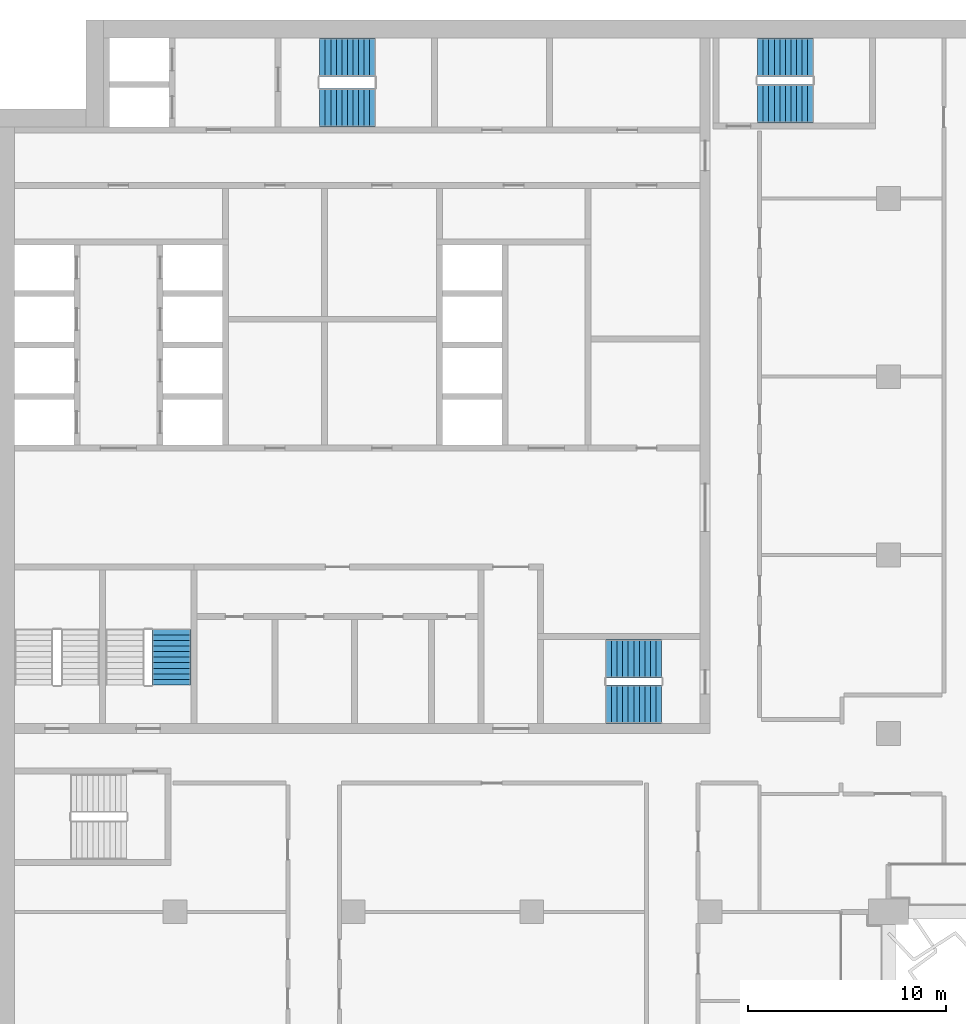
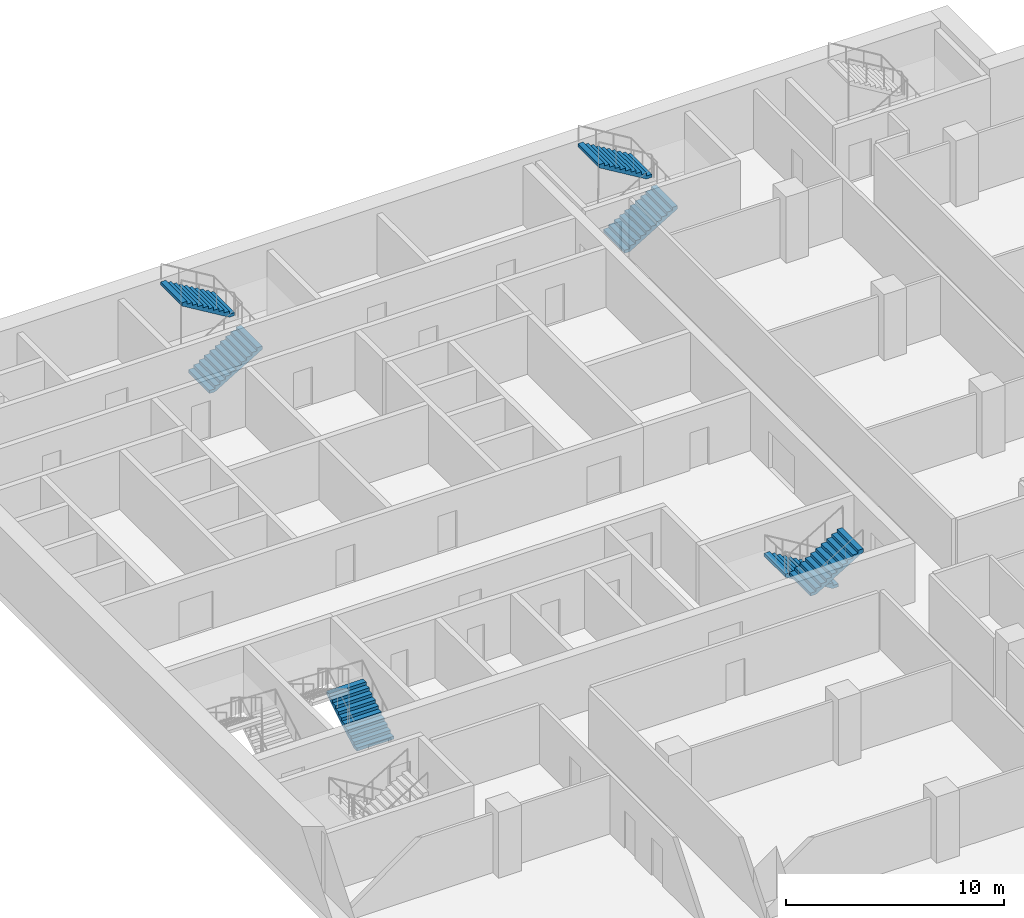
# One storey, part 16 of 22: 7 stair flights, 4 elements without a shape of their own.
"""IFC4 building model written with IfcOpenShell, lengths in metres."""

from ifc_helpers import new_model, si_unit, direction, frame, origin, place, context, subcontext, project, spatial, polyline, outline, extrude, material, type_object, element, aggregate, save


model = new_model("IFC4")

# Units and contexts
model_context = context("Model", 3, precision=1e-05, world=origin(), true_north=direction((0.0, 1.0)))
body_context = subcontext(model_context, "Body", "Model", "MODEL_VIEW")
ifc_project = project(units=[si_unit("LENGTHUNIT", "METRE"), si_unit("AREAUNIT", "SQUARE_METRE"), si_unit("VOLUMEUNIT", "CUBIC_METRE"), si_unit("PLANEANGLEUNIT", "RADIAN"), si_unit("MASSUNIT", "GRAM", prefix="KILO")], contexts=[model_context])

# Site, building, storey
site_placement = place(None, origin())
site = spatial("IfcSite", under=ifc_project, at=site_placement, CompositionType="ELEMENT")
building_placement = place(site_placement, origin())
building = spatial("IfcBuilding", under=site, at=building_placement, Name="Hunhe Ridgeline Campus", CompositionType="ELEMENT")
storey_placement = place(building_placement, frame((0.0, 0.0, 141.199951171875)))
storey = spatial("IfcBuildingStorey", under=building, at=storey_placement, Name="L35", CompositionType="ELEMENT", Elevation=141.199951171875)

# Stair, stair flights
ifc_material = material(Name="Concrete C40", Category="concrete")
stair_type = type_object("IfcStairType", Name="Reinforced concrete dog-leg stair 1950 Concrete C40", PredefinedType="HALF_TURN_STAIR", material=ifc_material)
stair_1_placement = place(storey_placement, origin())
stair_1 = element("IfcStair", 1, at=stair_1_placement, inside=storey, type_object=stair_type, Name="L35 S1", PredefinedType="HALF_TURN_STAIR")
stair_flight_type = type_object("IfcStairFlightType", Name="Reinforced concrete stair flight 1950 Concrete C40", PredefinedType="STRAIGHT", material=ifc_material)
stair_flight_1_placement = place(storey_placement, frame((16.300048828125, 94.574951171875, 0.0), z_axis=(0.0, 0.0, 1.0), x_axis=(1.0, 0.0, 0.0)))
stair_flight_1 = element("IfcStairFlight", 2, at=stair_flight_1_placement, type_object=stair_flight_type, Name="ST1 flight 1", NumberOfRisers=11, NumberOfTreads=10, PredefinedType="STRAIGHT", RiserHeight=0.168181818, TreadLength=0.28, context=body_context, shape_type="SweptSolid", body=[
    extrude(outline(polyline([(0.0, 0.0), (0.0, 0.168212890625), (0.280029296875, 0.168212890625), (0.280029296875, 0.33642578125), (0.56005859375, 0.33642578125), (0.56005859375, 0.504638671875), (0.840087890625, 0.504638671875), (0.840087890625, 0.672607421875), (1.1201171875, 0.672607421875), (1.1201171875, 0.8408203125), (1.39990234375, 0.8408203125), (1.39990234375, 1.009033203125), (1.679931640625, 1.009033203125), (1.679931640625, 1.17724609375), (1.9599609375, 1.17724609375), (1.9599609375, 1.345458984375), (2.239990234375, 1.345458984375), (2.239990234375, 1.513671875), (2.52001953125, 1.513671875), (2.52001953125, 1.681884765625), (2.800048828125, 1.681884765625), (2.800048828125, 1.85009765625), (2.800048828125, 1.5068359375), (0.291015625, 0.0), (0.0, 0.0)])), frame((0.0, 0.97509765625, 0.0), z_axis=(0.0, -1.0, 0.0), x_axis=(1.0, 0.0, 0.0)), (0.0, 0.0, 1.0), 1.949951171875),
    extrude(outline(polyline([(0.030029296875, 0.030029296875), (0.030029296875, 0.13818359375), (0.31005859375, 0.13818359375), (0.31005859375, 0.306396484375), (0.590087890625, 0.306396484375), (0.590087890625, 0.474609375), (0.8701171875, 0.474609375), (0.8701171875, 0.642578125), (1.14990234375, 0.642578125), (1.14990234375, 0.810791015625), (1.429931640625, 0.810791015625), (1.429931640625, 0.97900390625), (1.7099609375, 0.97900390625), (1.7099609375, 1.147216796875), (1.989990234375, 1.147216796875), (1.989990234375, 1.3154296875), (2.27001953125, 1.3154296875), (2.27001953125, 1.483642578125), (2.550048828125, 1.483642578125), (2.550048828125, 1.65185546875), (2.77001953125, 1.65185546875), (2.77001953125, 1.52392578125), (0.28271484375, 0.030029296875), (0.030029296875, 0.030029296875)])), frame((0.0, -0.070068359375, 0.0), z_axis=(0.0, -1.0, 0.0), x_axis=(1.0, 0.0, 0.0)), (0.0, 0.0, 1.0), 0.019775390625),
    extrude(outline(polyline([(0.030029296875, 0.030029296875), (0.030029296875, 0.13818359375), (0.31005859375, 0.13818359375), (0.31005859375, 0.306396484375), (0.590087890625, 0.306396484375), (0.590087890625, 0.474609375), (0.8701171875, 0.474609375), (0.8701171875, 0.642578125), (1.14990234375, 0.642578125), (1.14990234375, 0.810791015625), (1.429931640625, 0.810791015625), (1.429931640625, 0.97900390625), (1.7099609375, 0.97900390625), (1.7099609375, 1.147216796875), (1.989990234375, 1.147216796875), (1.989990234375, 1.3154296875), (2.27001953125, 1.3154296875), (2.27001953125, 1.483642578125), (2.550048828125, 1.483642578125), (2.550048828125, 1.65185546875), (2.77001953125, 1.65185546875), (2.77001953125, 1.52392578125), (0.28271484375, 0.030029296875), (0.030029296875, 0.030029296875)])), frame((0.0, 0.010009765625, 0.0), z_axis=(0.0, -1.0, 0.0), x_axis=(1.0, 0.0, 0.0)), (0.0, 0.0, 1.0), 0.019775390625),
    extrude(outline(polyline([(0.030029296875, 0.030029296875), (0.030029296875, 0.13818359375), (0.31005859375, 0.13818359375), (0.31005859375, 0.306396484375), (0.590087890625, 0.306396484375), (0.590087890625, 0.474609375), (0.8701171875, 0.474609375), (0.8701171875, 0.642578125), (1.14990234375, 0.642578125), (1.14990234375, 0.810791015625), (1.429931640625, 0.810791015625), (1.429931640625, 0.97900390625), (1.7099609375, 0.97900390625), (1.7099609375, 1.147216796875), (1.989990234375, 1.147216796875), (1.989990234375, 1.3154296875), (2.27001953125, 1.3154296875), (2.27001953125, 1.483642578125), (2.550048828125, 1.483642578125), (2.550048828125, 1.65185546875), (2.77001953125, 1.65185546875), (2.77001953125, 1.52392578125), (0.28271484375, 0.030029296875), (0.030029296875, 0.030029296875)])), frame((0.0, 0.090087890625, 0.0), z_axis=(0.0, -1.0, 0.0), x_axis=(1.0, 0.0, 0.0)), (0.0, 0.0, 1.0), 0.019775390625),
])
stair_flight_2_placement = place(storey_placement, frame((19.10009765625, 97.125, 1.85009765625), z_axis=(0.0, 0.0, 1.0), x_axis=(-1.0, 0.0, 0.0)))
stair_flight_2 = element("IfcStairFlight", 3, at=stair_flight_2_placement, type_object=stair_flight_type, Name="ST1 flight 2", NumberOfRisers=11, NumberOfTreads=10, PredefinedType="STRAIGHT", RiserHeight=0.168181818, TreadLength=0.28, context=body_context, shape_type="SweptSolid", body=[
    extrude(outline(polyline([(0.0, 0.0), (0.0, 0.168212890625), (0.280029296875, 0.168212890625), (0.280029296875, 0.33642578125), (0.56005859375, 0.33642578125), (0.56005859375, 0.504638671875), (0.840087890625, 0.504638671875), (0.840087890625, 0.672607421875), (1.1201171875, 0.672607421875), (1.1201171875, 0.8408203125), (1.39990234375, 0.8408203125), (1.39990234375, 1.009033203125), (1.679931640625, 1.009033203125), (1.679931640625, 1.17724609375), (1.9599609375, 1.17724609375), (1.9599609375, 1.345458984375), (2.239990234375, 1.345458984375), (2.239990234375, 1.513671875), (2.52001953125, 1.513671875), (2.52001953125, 1.681884765625), (2.800048828125, 1.681884765625), (2.800048828125, 1.85009765625), (2.800048828125, 1.5068359375), (0.291015625, 0.0), (0.0, 0.0)])), frame((0.0, 0.97509765625, 0.0), z_axis=(0.0, -1.0, 0.0), x_axis=(1.0, 0.0, 0.0)), (0.0, 0.0, 1.0), 1.949951171875),
    extrude(outline(polyline([(0.030029296875, 0.030029296875), (0.030029296875, 0.13818359375), (0.31005859375, 0.13818359375), (0.31005859375, 0.306396484375), (0.590087890625, 0.306396484375), (0.590087890625, 0.474609375), (0.8701171875, 0.474609375), (0.8701171875, 0.642578125), (1.14990234375, 0.642578125), (1.14990234375, 0.810791015625), (1.429931640625, 0.810791015625), (1.429931640625, 0.97900390625), (1.7099609375, 0.97900390625), (1.7099609375, 1.147216796875), (1.989990234375, 1.147216796875), (1.989990234375, 1.3154296875), (2.27001953125, 1.3154296875), (2.27001953125, 1.483642578125), (2.550048828125, 1.483642578125), (2.550048828125, 1.65185546875), (2.77001953125, 1.65185546875), (2.77001953125, 1.52392578125), (0.28271484375, 0.030029296875), (0.030029296875, 0.030029296875)])), frame((0.0, -0.070068359375, 0.0), z_axis=(0.0, -1.0, 0.0), x_axis=(1.0, 0.0, 0.0)), (0.0, 0.0, 1.0), 0.019775390625),
    extrude(outline(polyline([(0.030029296875, 0.030029296875), (0.030029296875, 0.13818359375), (0.31005859375, 0.13818359375), (0.31005859375, 0.306396484375), (0.590087890625, 0.306396484375), (0.590087890625, 0.474609375), (0.8701171875, 0.474609375), (0.8701171875, 0.642578125), (1.14990234375, 0.642578125), (1.14990234375, 0.810791015625), (1.429931640625, 0.810791015625), (1.429931640625, 0.97900390625), (1.7099609375, 0.97900390625), (1.7099609375, 1.147216796875), (1.989990234375, 1.147216796875), (1.989990234375, 1.3154296875), (2.27001953125, 1.3154296875), (2.27001953125, 1.483642578125), (2.550048828125, 1.483642578125), (2.550048828125, 1.65185546875), (2.77001953125, 1.65185546875), (2.77001953125, 1.52392578125), (0.28271484375, 0.030029296875), (0.030029296875, 0.030029296875)])), frame((0.0, 0.010009765625, 0.0), z_axis=(0.0, -1.0, 0.0), x_axis=(1.0, 0.0, 0.0)), (0.0, 0.0, 1.0), 0.019775390625),
    extrude(outline(polyline([(0.030029296875, 0.030029296875), (0.030029296875, 0.13818359375), (0.31005859375, 0.13818359375), (0.31005859375, 0.306396484375), (0.590087890625, 0.306396484375), (0.590087890625, 0.474609375), (0.8701171875, 0.474609375), (0.8701171875, 0.642578125), (1.14990234375, 0.642578125), (1.14990234375, 0.810791015625), (1.429931640625, 0.810791015625), (1.429931640625, 0.97900390625), (1.7099609375, 0.97900390625), (1.7099609375, 1.147216796875), (1.989990234375, 1.147216796875), (1.989990234375, 1.3154296875), (2.27001953125, 1.3154296875), (2.27001953125, 1.483642578125), (2.550048828125, 1.483642578125), (2.550048828125, 1.65185546875), (2.77001953125, 1.65185546875), (2.77001953125, 1.52392578125), (0.28271484375, 0.030029296875), (0.030029296875, 0.030029296875)])), frame((0.0, 0.090087890625, 0.0), z_axis=(0.0, -1.0, 0.0), x_axis=(1.0, 0.0, 0.0)), (0.0, 0.0, 1.0), 0.019775390625),
])
aggregate(stair_1, [stair_flight_1, stair_flight_2])

stair_2_placement = place(storey_placement, origin())
stair_2 = element("IfcStair", 4, at=stair_2_placement, inside=storey, type_object=stair_type, Name="L35 S2", PredefinedType="HALF_TURN_STAIR")
stair_flight_3_placement = place(storey_placement, frame((33.550048828125, 66.77490234375, 0.0), z_axis=(0.0, 0.0, 1.0), x_axis=(-1.0, 0.0, 0.0)))
stair_flight_3 = element("IfcStairFlight", 5, at=stair_flight_3_placement, type_object=stair_flight_type, Name="ST2 flight 1", NumberOfRisers=11, NumberOfTreads=10, PredefinedType="STRAIGHT", RiserHeight=0.168181818, TreadLength=0.28, context=body_context, shape_type="SweptSolid", body=[
    extrude(outline(polyline([(0.0, 0.0), (0.0, 0.168212890625), (0.280029296875, 0.168212890625), (0.280029296875, 0.33642578125), (0.56005859375, 0.33642578125), (0.56005859375, 0.504638671875), (0.840087890625, 0.504638671875), (0.840087890625, 0.672607421875), (1.1201171875, 0.672607421875), (1.1201171875, 0.8408203125), (1.39990234375, 0.8408203125), (1.39990234375, 1.009033203125), (1.679931640625, 1.009033203125), (1.679931640625, 1.17724609375), (1.9599609375, 1.17724609375), (1.9599609375, 1.345458984375), (2.239990234375, 1.345458984375), (2.239990234375, 1.513671875), (2.52001953125, 1.513671875), (2.52001953125, 1.681884765625), (2.800048828125, 1.681884765625), (2.800048828125, 1.85009765625), (2.800048828125, 1.5068359375), (0.291015625, 0.0), (0.0, 0.0)])), frame((0.0, 0.97509765625, 0.0), z_axis=(0.0, -1.0, 0.0), x_axis=(1.0, 0.0, 0.0)), (0.0, 0.0, 1.0), 1.949951171875),
    extrude(outline(polyline([(0.030029296875, 0.030029296875), (0.030029296875, 0.13818359375), (0.31005859375, 0.13818359375), (0.31005859375, 0.306396484375), (0.590087890625, 0.306396484375), (0.590087890625, 0.474609375), (0.8701171875, 0.474609375), (0.8701171875, 0.642578125), (1.14990234375, 0.642578125), (1.14990234375, 0.810791015625), (1.429931640625, 0.810791015625), (1.429931640625, 0.97900390625), (1.7099609375, 0.97900390625), (1.7099609375, 1.147216796875), (1.989990234375, 1.147216796875), (1.989990234375, 1.3154296875), (2.27001953125, 1.3154296875), (2.27001953125, 1.483642578125), (2.550048828125, 1.483642578125), (2.550048828125, 1.65185546875), (2.77001953125, 1.65185546875), (2.77001953125, 1.52392578125), (0.28271484375, 0.030029296875), (0.030029296875, 0.030029296875)])), frame((0.0, -0.070068359375, 0.0), z_axis=(0.0, -1.0, 0.0), x_axis=(1.0, 0.0, 0.0)), (0.0, 0.0, 1.0), 0.019775390625),
    extrude(outline(polyline([(0.030029296875, 0.030029296875), (0.030029296875, 0.13818359375), (0.31005859375, 0.13818359375), (0.31005859375, 0.306396484375), (0.590087890625, 0.306396484375), (0.590087890625, 0.474609375), (0.8701171875, 0.474609375), (0.8701171875, 0.642578125), (1.14990234375, 0.642578125), (1.14990234375, 0.810791015625), (1.429931640625, 0.810791015625), (1.429931640625, 0.97900390625), (1.7099609375, 0.97900390625), (1.7099609375, 1.147216796875), (1.989990234375, 1.147216796875), (1.989990234375, 1.3154296875), (2.27001953125, 1.3154296875), (2.27001953125, 1.483642578125), (2.550048828125, 1.483642578125), (2.550048828125, 1.65185546875), (2.77001953125, 1.65185546875), (2.77001953125, 1.52392578125), (0.28271484375, 0.030029296875), (0.030029296875, 0.030029296875)])), frame((0.0, 0.010009765625, 0.0), z_axis=(0.0, -1.0, 0.0), x_axis=(1.0, 0.0, 0.0)), (0.0, 0.0, 1.0), 0.019775390625),
    extrude(outline(polyline([(0.030029296875, 0.030029296875), (0.030029296875, 0.13818359375), (0.31005859375, 0.13818359375), (0.31005859375, 0.306396484375), (0.590087890625, 0.306396484375), (0.590087890625, 0.474609375), (0.8701171875, 0.474609375), (0.8701171875, 0.642578125), (1.14990234375, 0.642578125), (1.14990234375, 0.810791015625), (1.429931640625, 0.810791015625), (1.429931640625, 0.97900390625), (1.7099609375, 0.97900390625), (1.7099609375, 1.147216796875), (1.989990234375, 1.147216796875), (1.989990234375, 1.3154296875), (2.27001953125, 1.3154296875), (2.27001953125, 1.483642578125), (2.550048828125, 1.483642578125), (2.550048828125, 1.65185546875), (2.77001953125, 1.65185546875), (2.77001953125, 1.52392578125), (0.28271484375, 0.030029296875), (0.030029296875, 0.030029296875)])), frame((0.0, 0.090087890625, 0.0), z_axis=(0.0, -1.0, 0.0), x_axis=(1.0, 0.0, 0.0)), (0.0, 0.0, 1.0), 0.019775390625),
])
stair_flight_4_placement = place(storey_placement, frame((30.75, 64.47509765625, 1.85009765625), z_axis=(0.0, 0.0, 1.0), x_axis=(1.0, 0.0, 0.0)))
stair_flight_4 = element("IfcStairFlight", 6, at=stair_flight_4_placement, type_object=stair_flight_type, Name="ST2 flight 2", NumberOfRisers=11, NumberOfTreads=10, PredefinedType="STRAIGHT", RiserHeight=0.168181818, TreadLength=0.28, context=body_context, shape_type="SweptSolid", body=[
    extrude(outline(polyline([(0.0, 0.0), (0.0, 0.168212890625), (0.280029296875, 0.168212890625), (0.280029296875, 0.33642578125), (0.56005859375, 0.33642578125), (0.56005859375, 0.504638671875), (0.840087890625, 0.504638671875), (0.840087890625, 0.672607421875), (1.1201171875, 0.672607421875), (1.1201171875, 0.8408203125), (1.39990234375, 0.8408203125), (1.39990234375, 1.009033203125), (1.679931640625, 1.009033203125), (1.679931640625, 1.17724609375), (1.9599609375, 1.17724609375), (1.9599609375, 1.345458984375), (2.239990234375, 1.345458984375), (2.239990234375, 1.513671875), (2.52001953125, 1.513671875), (2.52001953125, 1.681884765625), (2.800048828125, 1.681884765625), (2.800048828125, 1.85009765625), (2.800048828125, 1.5068359375), (0.291015625, 0.0), (0.0, 0.0)])), frame((0.0, 0.97509765625, 0.0), z_axis=(0.0, -1.0, 0.0), x_axis=(1.0, 0.0, 0.0)), (0.0, 0.0, 1.0), 1.949951171875),
    extrude(outline(polyline([(0.030029296875, 0.030029296875), (0.030029296875, 0.13818359375), (0.31005859375, 0.13818359375), (0.31005859375, 0.306396484375), (0.590087890625, 0.306396484375), (0.590087890625, 0.474609375), (0.8701171875, 0.474609375), (0.8701171875, 0.642578125), (1.14990234375, 0.642578125), (1.14990234375, 0.810791015625), (1.429931640625, 0.810791015625), (1.429931640625, 0.97900390625), (1.7099609375, 0.97900390625), (1.7099609375, 1.147216796875), (1.989990234375, 1.147216796875), (1.989990234375, 1.3154296875), (2.27001953125, 1.3154296875), (2.27001953125, 1.483642578125), (2.550048828125, 1.483642578125), (2.550048828125, 1.65185546875), (2.77001953125, 1.65185546875), (2.77001953125, 1.52392578125), (0.28271484375, 0.030029296875), (0.030029296875, 0.030029296875)])), frame((0.0, -0.070068359375, 0.0), z_axis=(0.0, -1.0, 0.0), x_axis=(1.0, 0.0, 0.0)), (0.0, 0.0, 1.0), 0.019775390625),
    extrude(outline(polyline([(0.030029296875, 0.030029296875), (0.030029296875, 0.13818359375), (0.31005859375, 0.13818359375), (0.31005859375, 0.306396484375), (0.590087890625, 0.306396484375), (0.590087890625, 0.474609375), (0.8701171875, 0.474609375), (0.8701171875, 0.642578125), (1.14990234375, 0.642578125), (1.14990234375, 0.810791015625), (1.429931640625, 0.810791015625), (1.429931640625, 0.97900390625), (1.7099609375, 0.97900390625), (1.7099609375, 1.147216796875), (1.989990234375, 1.147216796875), (1.989990234375, 1.3154296875), (2.27001953125, 1.3154296875), (2.27001953125, 1.483642578125), (2.550048828125, 1.483642578125), (2.550048828125, 1.65185546875), (2.77001953125, 1.65185546875), (2.77001953125, 1.52392578125), (0.28271484375, 0.030029296875), (0.030029296875, 0.030029296875)])), frame((0.0, 0.010009765625, 0.0), z_axis=(0.0, -1.0, 0.0), x_axis=(1.0, 0.0, 0.0)), (0.0, 0.0, 1.0), 0.019775390625),
    extrude(outline(polyline([(0.030029296875, 0.030029296875), (0.030029296875, 0.13818359375), (0.31005859375, 0.13818359375), (0.31005859375, 0.306396484375), (0.590087890625, 0.306396484375), (0.590087890625, 0.474609375), (0.8701171875, 0.474609375), (0.8701171875, 0.642578125), (1.14990234375, 0.642578125), (1.14990234375, 0.810791015625), (1.429931640625, 0.810791015625), (1.429931640625, 0.97900390625), (1.7099609375, 0.97900390625), (1.7099609375, 1.147216796875), (1.989990234375, 1.147216796875), (1.989990234375, 1.3154296875), (2.27001953125, 1.3154296875), (2.27001953125, 1.483642578125), (2.550048828125, 1.483642578125), (2.550048828125, 1.65185546875), (2.77001953125, 1.65185546875), (2.77001953125, 1.52392578125), (0.28271484375, 0.030029296875), (0.030029296875, 0.030029296875)])), frame((0.0, 0.090087890625, 0.0), z_axis=(0.0, -1.0, 0.0), x_axis=(1.0, 0.0, 0.0)), (0.0, 0.0, 1.0), 0.019775390625),
])
aggregate(stair_2, [stair_flight_3, stair_flight_4])

# Stair, stair flight
stair_3_placement = place(storey_placement, origin())
stair_3 = element("IfcStair", 7, at=stair_3_placement, inside=storey, type_object=stair_type, Name="L35 S4", PredefinedType="HALF_TURN_STAIR")
stair_flight_5_placement = place(storey_placement, frame((8.824951171875, 65.449951171875, 0.0), z_axis=(0.0, 0.0, 1.0), x_axis=(0.0, 1.0, 0.0)))
stair_flight_5 = element("IfcStairFlight", 8, at=stair_flight_5_placement, type_object=stair_flight_type, Name="ST4 flight 1", NumberOfRisers=11, NumberOfTreads=10, PredefinedType="STRAIGHT", RiserHeight=0.168181818, TreadLength=0.28, context=body_context, shape_type="SweptSolid", body=[
    extrude(outline(polyline([(0.0, 0.0), (0.0, 0.168212890625), (0.280029296875, 0.168212890625), (0.280029296875, 0.33642578125), (0.56005859375, 0.33642578125), (0.56005859375, 0.504638671875), (0.840087890625, 0.504638671875), (0.840087890625, 0.672607421875), (1.1201171875, 0.672607421875), (1.1201171875, 0.8408203125), (1.39990234375, 0.8408203125), (1.39990234375, 1.009033203125), (1.679931640625, 1.009033203125), (1.679931640625, 1.17724609375), (1.9599609375, 1.17724609375), (1.9599609375, 1.345458984375), (2.239990234375, 1.345458984375), (2.239990234375, 1.513671875), (2.52001953125, 1.513671875), (2.52001953125, 1.681884765625), (2.800048828125, 1.681884765625), (2.800048828125, 1.85009765625), (2.800048828125, 1.5068359375), (0.291015625, 0.0), (0.0, 0.0)])), frame((0.0, 0.97509765625, 0.0), z_axis=(0.0, -1.0, 0.0), x_axis=(1.0, 0.0, 0.0)), (0.0, 0.0, 1.0), 1.949951171875),
    extrude(outline(polyline([(0.030029296875, 0.030029296875), (0.030029296875, 0.13818359375), (0.31005859375, 0.13818359375), (0.31005859375, 0.306396484375), (0.590087890625, 0.306396484375), (0.590087890625, 0.474609375), (0.8701171875, 0.474609375), (0.8701171875, 0.642578125), (1.14990234375, 0.642578125), (1.14990234375, 0.810791015625), (1.429931640625, 0.810791015625), (1.429931640625, 0.97900390625), (1.7099609375, 0.97900390625), (1.7099609375, 1.147216796875), (1.989990234375, 1.147216796875), (1.989990234375, 1.3154296875), (2.27001953125, 1.3154296875), (2.27001953125, 1.483642578125), (2.550048828125, 1.483642578125), (2.550048828125, 1.65185546875), (2.77001953125, 1.65185546875), (2.77001953125, 1.52392578125), (0.28271484375, 0.030029296875), (0.030029296875, 0.030029296875)])), frame((0.0, -0.070068359375, 0.0), z_axis=(0.0, -1.0, 0.0), x_axis=(1.0, 0.0, 0.0)), (0.0, 0.0, 1.0), 0.019775390625),
    extrude(outline(polyline([(0.030029296875, 0.030029296875), (0.030029296875, 0.13818359375), (0.31005859375, 0.13818359375), (0.31005859375, 0.306396484375), (0.590087890625, 0.306396484375), (0.590087890625, 0.474609375), (0.8701171875, 0.474609375), (0.8701171875, 0.642578125), (1.14990234375, 0.642578125), (1.14990234375, 0.810791015625), (1.429931640625, 0.810791015625), (1.429931640625, 0.97900390625), (1.7099609375, 0.97900390625), (1.7099609375, 1.147216796875), (1.989990234375, 1.147216796875), (1.989990234375, 1.3154296875), (2.27001953125, 1.3154296875), (2.27001953125, 1.483642578125), (2.550048828125, 1.483642578125), (2.550048828125, 1.65185546875), (2.77001953125, 1.65185546875), (2.77001953125, 1.52392578125), (0.28271484375, 0.030029296875), (0.030029296875, 0.030029296875)])), frame((0.0, 0.010009765625, 0.0), z_axis=(0.0, -1.0, 0.0), x_axis=(1.0, 0.0, 0.0)), (0.0, 0.0, 1.0), 0.019775390625),
    extrude(outline(polyline([(0.030029296875, 0.030029296875), (0.030029296875, 0.13818359375), (0.31005859375, 0.13818359375), (0.31005859375, 0.306396484375), (0.590087890625, 0.306396484375), (0.590087890625, 0.474609375), (0.8701171875, 0.474609375), (0.8701171875, 0.642578125), (1.14990234375, 0.642578125), (1.14990234375, 0.810791015625), (1.429931640625, 0.810791015625), (1.429931640625, 0.97900390625), (1.7099609375, 0.97900390625), (1.7099609375, 1.147216796875), (1.989990234375, 1.147216796875), (1.989990234375, 1.3154296875), (2.27001953125, 1.3154296875), (2.27001953125, 1.483642578125), (2.550048828125, 1.483642578125), (2.550048828125, 1.65185546875), (2.77001953125, 1.65185546875), (2.77001953125, 1.52392578125), (0.28271484375, 0.030029296875), (0.030029296875, 0.030029296875)])), frame((0.0, 0.090087890625, 0.0), z_axis=(0.0, -1.0, 0.0), x_axis=(1.0, 0.0, 0.0)), (0.0, 0.0, 1.0), 0.019775390625),
])
aggregate(stair_3, [stair_flight_5])

# Stair, stair flights
stair_4_placement = place(storey_placement, origin())
stair_4 = element("IfcStair", 9, at=stair_4_placement, inside=storey, type_object=stair_type, Name="L35 E1", PredefinedType="HALF_TURN_STAIR")
stair_flight_6_placement = place(storey_placement, frame((38.39990234375, 94.77490234375, 0.0), z_axis=(0.0, 0.0, 1.0), x_axis=(1.0, 0.0, 0.0)))
stair_flight_6 = element("IfcStairFlight", 10, at=stair_flight_6_placement, type_object=stair_flight_type, Name="ST5 flight 1", NumberOfRisers=11, NumberOfTreads=10, PredefinedType="STRAIGHT", RiserHeight=0.168181818, TreadLength=0.28, context=body_context, shape_type="SweptSolid", body=[
    extrude(outline(polyline([(0.0, 0.0), (0.0, 0.168212890625), (0.280029296875, 0.168212890625), (0.280029296875, 0.33642578125), (0.56005859375, 0.33642578125), (0.56005859375, 0.504638671875), (0.840087890625, 0.504638671875), (0.840087890625, 0.672607421875), (1.1201171875, 0.672607421875), (1.1201171875, 0.8408203125), (1.39990234375, 0.8408203125), (1.39990234375, 1.009033203125), (1.679931640625, 1.009033203125), (1.679931640625, 1.17724609375), (1.9599609375, 1.17724609375), (1.9599609375, 1.345458984375), (2.239990234375, 1.345458984375), (2.239990234375, 1.513671875), (2.52001953125, 1.513671875), (2.52001953125, 1.681884765625), (2.800048828125, 1.681884765625), (2.800048828125, 1.85009765625), (2.800048828125, 1.5068359375), (0.291015625, 0.0), (0.0, 0.0)])), frame((0.0, 0.97509765625, 0.0), z_axis=(0.0, -1.0, 0.0), x_axis=(1.0, 0.0, 0.0)), (0.0, 0.0, 1.0), 1.949951171875),
    extrude(outline(polyline([(0.030029296875, 0.030029296875), (0.030029296875, 0.13818359375), (0.31005859375, 0.13818359375), (0.31005859375, 0.306396484375), (0.590087890625, 0.306396484375), (0.590087890625, 0.474609375), (0.8701171875, 0.474609375), (0.8701171875, 0.642578125), (1.14990234375, 0.642578125), (1.14990234375, 0.810791015625), (1.429931640625, 0.810791015625), (1.429931640625, 0.97900390625), (1.7099609375, 0.97900390625), (1.7099609375, 1.147216796875), (1.989990234375, 1.147216796875), (1.989990234375, 1.3154296875), (2.27001953125, 1.3154296875), (2.27001953125, 1.483642578125), (2.550048828125, 1.483642578125), (2.550048828125, 1.65185546875), (2.77001953125, 1.65185546875), (2.77001953125, 1.52392578125), (0.28271484375, 0.030029296875), (0.030029296875, 0.030029296875)])), frame((0.0, -0.070068359375, 0.0), z_axis=(0.0, -1.0, 0.0), x_axis=(1.0, 0.0, 0.0)), (0.0, 0.0, 1.0), 0.019775390625),
    extrude(outline(polyline([(0.030029296875, 0.030029296875), (0.030029296875, 0.13818359375), (0.31005859375, 0.13818359375), (0.31005859375, 0.306396484375), (0.590087890625, 0.306396484375), (0.590087890625, 0.474609375), (0.8701171875, 0.474609375), (0.8701171875, 0.642578125), (1.14990234375, 0.642578125), (1.14990234375, 0.810791015625), (1.429931640625, 0.810791015625), (1.429931640625, 0.97900390625), (1.7099609375, 0.97900390625), (1.7099609375, 1.147216796875), (1.989990234375, 1.147216796875), (1.989990234375, 1.3154296875), (2.27001953125, 1.3154296875), (2.27001953125, 1.483642578125), (2.550048828125, 1.483642578125), (2.550048828125, 1.65185546875), (2.77001953125, 1.65185546875), (2.77001953125, 1.52392578125), (0.28271484375, 0.030029296875), (0.030029296875, 0.030029296875)])), frame((0.0, 0.010009765625, 0.0), z_axis=(0.0, -1.0, 0.0), x_axis=(1.0, 0.0, 0.0)), (0.0, 0.0, 1.0), 0.019775390625),
    extrude(outline(polyline([(0.030029296875, 0.030029296875), (0.030029296875, 0.13818359375), (0.31005859375, 0.13818359375), (0.31005859375, 0.306396484375), (0.590087890625, 0.306396484375), (0.590087890625, 0.474609375), (0.8701171875, 0.474609375), (0.8701171875, 0.642578125), (1.14990234375, 0.642578125), (1.14990234375, 0.810791015625), (1.429931640625, 0.810791015625), (1.429931640625, 0.97900390625), (1.7099609375, 0.97900390625), (1.7099609375, 1.147216796875), (1.989990234375, 1.147216796875), (1.989990234375, 1.3154296875), (2.27001953125, 1.3154296875), (2.27001953125, 1.483642578125), (2.550048828125, 1.483642578125), (2.550048828125, 1.65185546875), (2.77001953125, 1.65185546875), (2.77001953125, 1.52392578125), (0.28271484375, 0.030029296875), (0.030029296875, 0.030029296875)])), frame((0.0, 0.090087890625, 0.0), z_axis=(0.0, -1.0, 0.0), x_axis=(1.0, 0.0, 0.0)), (0.0, 0.0, 1.0), 0.019775390625),
])
stair_flight_7_placement = place(storey_placement, frame((41.199951171875, 97.125, 1.85009765625), z_axis=(0.0, 0.0, 1.0), x_axis=(-1.0, 0.0, 0.0)))
stair_flight_7 = element("IfcStairFlight", 11, at=stair_flight_7_placement, type_object=stair_flight_type, Name="ST5 flight 2", NumberOfRisers=11, NumberOfTreads=10, PredefinedType="STRAIGHT", RiserHeight=0.168181818, TreadLength=0.28, context=body_context, shape_type="SweptSolid", body=[
    extrude(outline(polyline([(0.0, 0.0), (0.0, 0.168212890625), (0.280029296875, 0.168212890625), (0.280029296875, 0.33642578125), (0.56005859375, 0.33642578125), (0.56005859375, 0.504638671875), (0.840087890625, 0.504638671875), (0.840087890625, 0.672607421875), (1.1201171875, 0.672607421875), (1.1201171875, 0.8408203125), (1.39990234375, 0.8408203125), (1.39990234375, 1.009033203125), (1.679931640625, 1.009033203125), (1.679931640625, 1.17724609375), (1.9599609375, 1.17724609375), (1.9599609375, 1.345458984375), (2.239990234375, 1.345458984375), (2.239990234375, 1.513671875), (2.52001953125, 1.513671875), (2.52001953125, 1.681884765625), (2.800048828125, 1.681884765625), (2.800048828125, 1.85009765625), (2.800048828125, 1.5068359375), (0.291015625, 0.0), (0.0, 0.0)])), frame((0.0, 0.97509765625, 0.0), z_axis=(0.0, -1.0, 0.0), x_axis=(1.0, 0.0, 0.0)), (0.0, 0.0, 1.0), 1.949951171875),
    extrude(outline(polyline([(0.030029296875, 0.030029296875), (0.030029296875, 0.13818359375), (0.31005859375, 0.13818359375), (0.31005859375, 0.306396484375), (0.590087890625, 0.306396484375), (0.590087890625, 0.474609375), (0.8701171875, 0.474609375), (0.8701171875, 0.642578125), (1.14990234375, 0.642578125), (1.14990234375, 0.810791015625), (1.429931640625, 0.810791015625), (1.429931640625, 0.97900390625), (1.7099609375, 0.97900390625), (1.7099609375, 1.147216796875), (1.989990234375, 1.147216796875), (1.989990234375, 1.3154296875), (2.27001953125, 1.3154296875), (2.27001953125, 1.483642578125), (2.550048828125, 1.483642578125), (2.550048828125, 1.65185546875), (2.77001953125, 1.65185546875), (2.77001953125, 1.52392578125), (0.28271484375, 0.030029296875), (0.030029296875, 0.030029296875)])), frame((0.0, -0.070068359375, 0.0), z_axis=(0.0, -1.0, 0.0), x_axis=(1.0, 0.0, 0.0)), (0.0, 0.0, 1.0), 0.019775390625),
    extrude(outline(polyline([(0.030029296875, 0.030029296875), (0.030029296875, 0.13818359375), (0.31005859375, 0.13818359375), (0.31005859375, 0.306396484375), (0.590087890625, 0.306396484375), (0.590087890625, 0.474609375), (0.8701171875, 0.474609375), (0.8701171875, 0.642578125), (1.14990234375, 0.642578125), (1.14990234375, 0.810791015625), (1.429931640625, 0.810791015625), (1.429931640625, 0.97900390625), (1.7099609375, 0.97900390625), (1.7099609375, 1.147216796875), (1.989990234375, 1.147216796875), (1.989990234375, 1.3154296875), (2.27001953125, 1.3154296875), (2.27001953125, 1.483642578125), (2.550048828125, 1.483642578125), (2.550048828125, 1.65185546875), (2.77001953125, 1.65185546875), (2.77001953125, 1.52392578125), (0.28271484375, 0.030029296875), (0.030029296875, 0.030029296875)])), frame((0.0, 0.010009765625, 0.0), z_axis=(0.0, -1.0, 0.0), x_axis=(1.0, 0.0, 0.0)), (0.0, 0.0, 1.0), 0.019775390625),
    extrude(outline(polyline([(0.030029296875, 0.030029296875), (0.030029296875, 0.13818359375), (0.31005859375, 0.13818359375), (0.31005859375, 0.306396484375), (0.590087890625, 0.306396484375), (0.590087890625, 0.474609375), (0.8701171875, 0.474609375), (0.8701171875, 0.642578125), (1.14990234375, 0.642578125), (1.14990234375, 0.810791015625), (1.429931640625, 0.810791015625), (1.429931640625, 0.97900390625), (1.7099609375, 0.97900390625), (1.7099609375, 1.147216796875), (1.989990234375, 1.147216796875), (1.989990234375, 1.3154296875), (2.27001953125, 1.3154296875), (2.27001953125, 1.483642578125), (2.550048828125, 1.483642578125), (2.550048828125, 1.65185546875), (2.77001953125, 1.65185546875), (2.77001953125, 1.52392578125), (0.28271484375, 0.030029296875), (0.030029296875, 0.030029296875)])), frame((0.0, 0.090087890625, 0.0), z_axis=(0.0, -1.0, 0.0), x_axis=(1.0, 0.0, 0.0)), (0.0, 0.0, 1.0), 0.019775390625),
])
aggregate(stair_4, [stair_flight_6, stair_flight_7])

save(model, "model.ifc")
